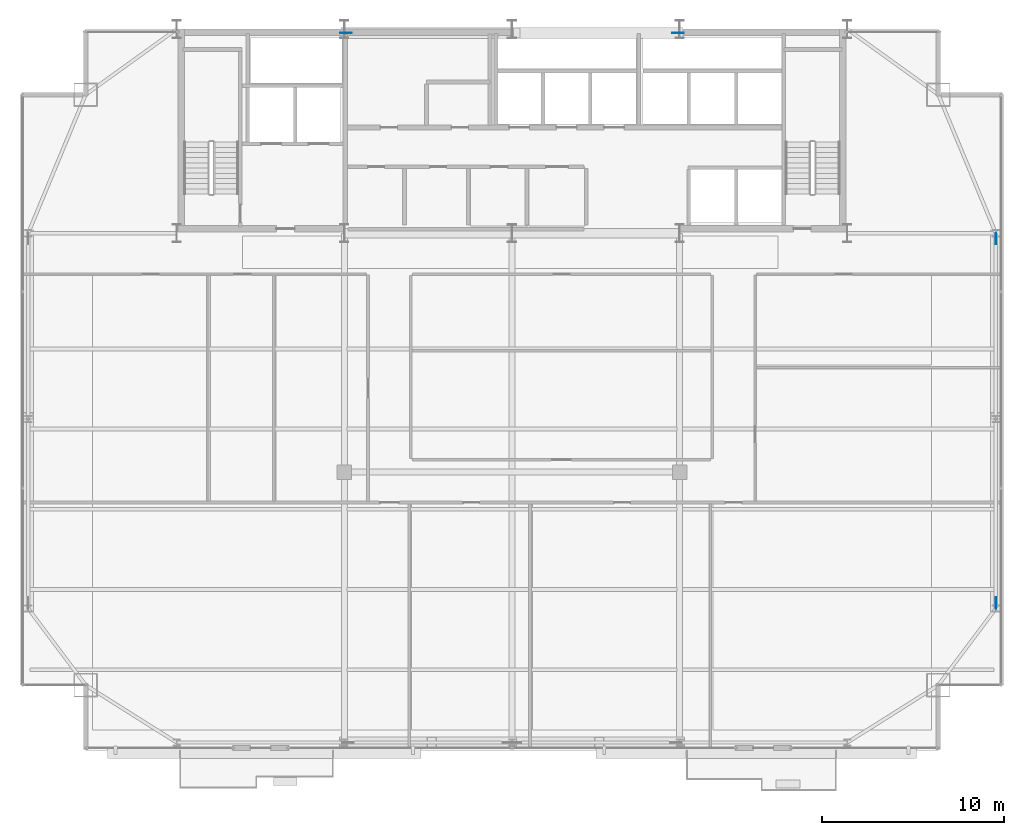
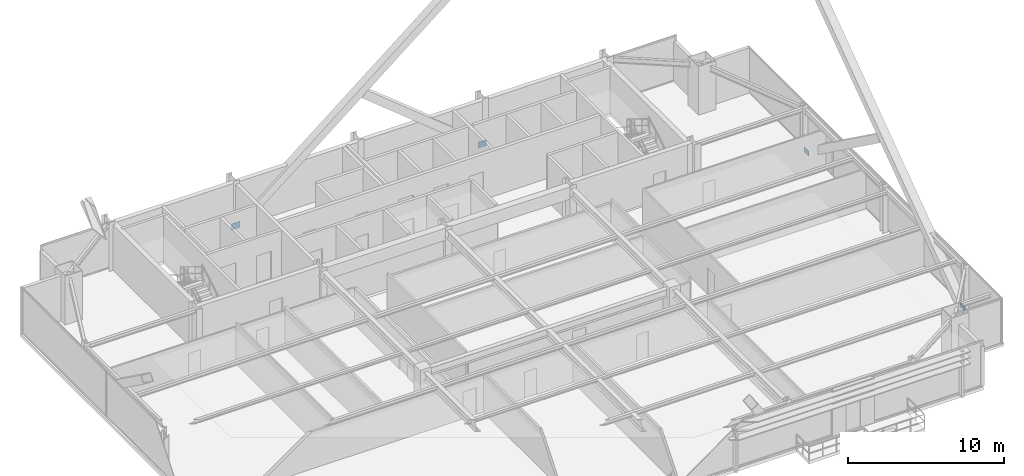
# One storey, part 29 of 34: 4 plates.
"""IFC4 building model written with IfcOpenShell, lengths in metres."""

from ifc_helpers import new_model, si_unit, direction, frame, origin, origin_2d, place, context, subcontext, project, spatial, rectangle, extrude, source, transform, mapped, material, layer, layer_set, type_object, type_shapes, element, save


model = new_model("IFC4")

# Units and contexts
model_context = context("Model", 3, precision=1e-05, world=origin(), true_north=direction((0.0, 1.0)))
body_context = subcontext(model_context, "Body", "Model", "MODEL_VIEW")
ifc_project = project(units=[si_unit("LENGTHUNIT", "METRE"), si_unit("AREAUNIT", "SQUARE_METRE"), si_unit("VOLUMEUNIT", "CUBIC_METRE"), si_unit("PLANEANGLEUNIT", "RADIAN"), si_unit("MASSUNIT", "GRAM", prefix="KILO")], contexts=[model_context])

# Site, building, storey
site_placement = place(None, origin())
site = spatial("IfcSite", under=ifc_project, at=site_placement, CompositionType="ELEMENT")
building_placement = place(site_placement, origin())
building = spatial("IfcBuilding", under=site, at=building_placement, Name="Varnel Quay Broadcast Tower", CompositionType="ELEMENT")
storey_placement = place(building_placement, frame((0.0, 0.0, 176.199951171875)))
storey = spatial("IfcBuildingStorey", under=building, at=storey_placement, Name="L43", CompositionType="ELEMENT", Elevation=176.199951171875)

# Plates
ifc_material = material(Name="Structural Steel CSA G40.21 350WT", Category="steel")
ifc_layer_1 = layer(ifc_material, 0.0400390625, Name="Structural Steel CSA G40.21 350WT")
ifc_layer_set_1 = layer_set([ifc_layer_1], Name="Structural Steel CSA G40.21 350WT")
plate_type_1 = type_object("IfcPlateType", Name="Plate_EmbedPlate", PredefinedType="USERDEFINED", material=ifc_layer_set_1)
shared_shape_1 = source(origin(), body_context, "Body", "SweptSolid", [
    extrude(rectangle(XDim=0.639892578125, YDim=0.0400390625, at=origin_2d()), origin(), (0.0, 0.0, 1.0), 0.449951171875),
])
type_shapes(plate_type_1, [shared_shape_1])
for number, where, z_axis, x_axis, name in (
    (1, (24.893310546875, 46.580078125, -0.12939453125), (0.0, 0.0, 1.0), (1.0, 0.0, 0.0), "Zone 3 Mega-Brace N-CT3 Diag A Wall Cast-In Embed Plate P0"),
    (2, (43.106689453125, 46.580078125, -0.12939453125), (0.0, 0.0, 1.0), (1.0, 0.0, 0.0), "Zone 3 Mega-Brace N-CT3 Diag B1 Wall Cast-In Embed Plate P0"),
):
    element("IfcPlate", number, at=place(storey_placement, frame(where, z_axis=z_axis, x_axis=x_axis)), inside=storey, type_object=plate_type_1, Name=name, ObjectType="EMBED_PLATE", PredefinedType="USERDEFINED", context=body_context, shape_type="MappedRepresentation", body=[
        mapped(shared_shape_1, transform((0.0, 0.0, 0.0), x_axis=(1.0, 0.0, 0.0), y_axis=(0.0, 1.0, 0.0), z_axis=(0.0, 0.0, 1.0), scale=1.0)),
    ])
ifc_layer_2 = layer(ifc_material, 0.031982421875, Name="Structural Steel CSA G40.21 350WT")
ifc_layer_set_2 = layer_set([ifc_layer_2], Name="Structural Steel CSA G40.21 350WT")
plate_type_2 = type_object("IfcPlateType", Name="Plate_EndCap", PredefinedType="USERDEFINED", material=ifc_layer_set_2)
shared_shape_2 = source(origin(), body_context, "Body", "SweptSolid", [
    extrude(rectangle(XDim=0.6201171875, YDim=0.031982421875, at=origin_2d()), origin(), (0.0, 0.0, 1.0), 0.3798828125),
])
type_shapes(plate_type_2, [shared_shape_2])
for number, where, z_axis, x_axis, name in (
    (3, (60.550048828125, 15.30810546875, 0.052490234375), (0.0, 0.0, 1.0), (0.0, 1.0, 0.0), "Zone 3 Mega-Brace E-FT3 Diag A End Connection Plate P0"),
    (4, (60.550048828125, 35.2919921875, 0.052490234375), (0.0, 0.0, 1.0), (0.0, 1.0, 0.0), "Zone 3 Mega-Brace E-FT3 Diag B1 End Connection Plate P0"),
):
    element("IfcPlate", number, at=place(storey_placement, frame(where, z_axis=z_axis, x_axis=x_axis)), inside=storey, type_object=plate_type_2, Name=name, ObjectType="CAP_PLATE", PredefinedType="USERDEFINED", context=body_context, shape_type="MappedRepresentation", body=[
        mapped(shared_shape_2, transform((0.0, 0.0, 0.0), x_axis=(1.0, 0.0, 0.0), y_axis=(0.0, 1.0, 0.0), z_axis=(0.0, 0.0, 1.0), scale=1.0)),
    ])

save(model, "model.ifc")
